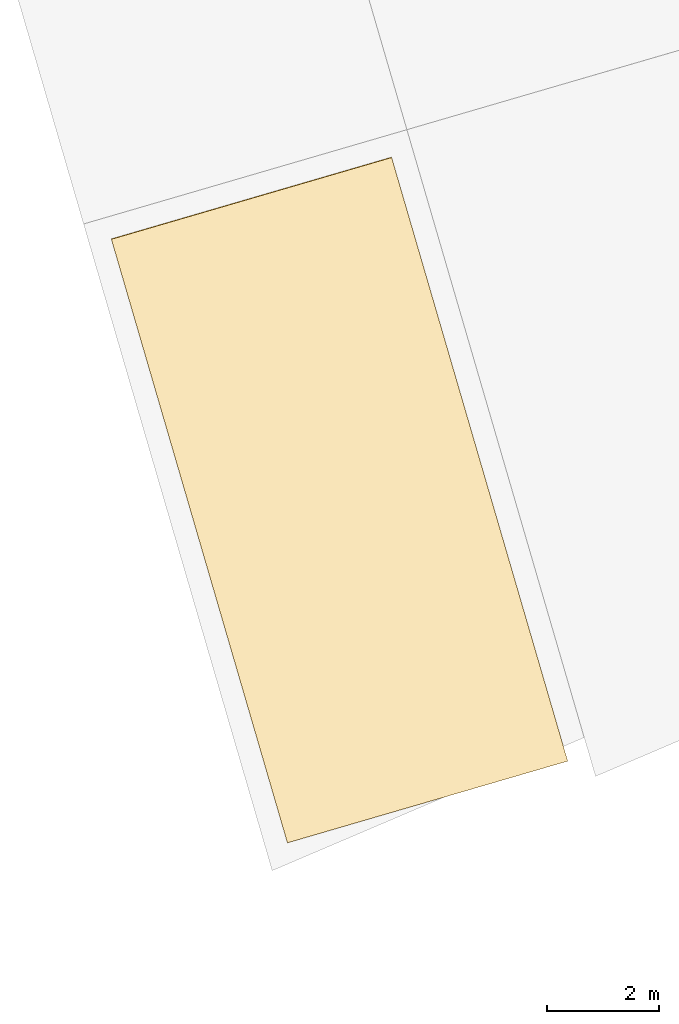
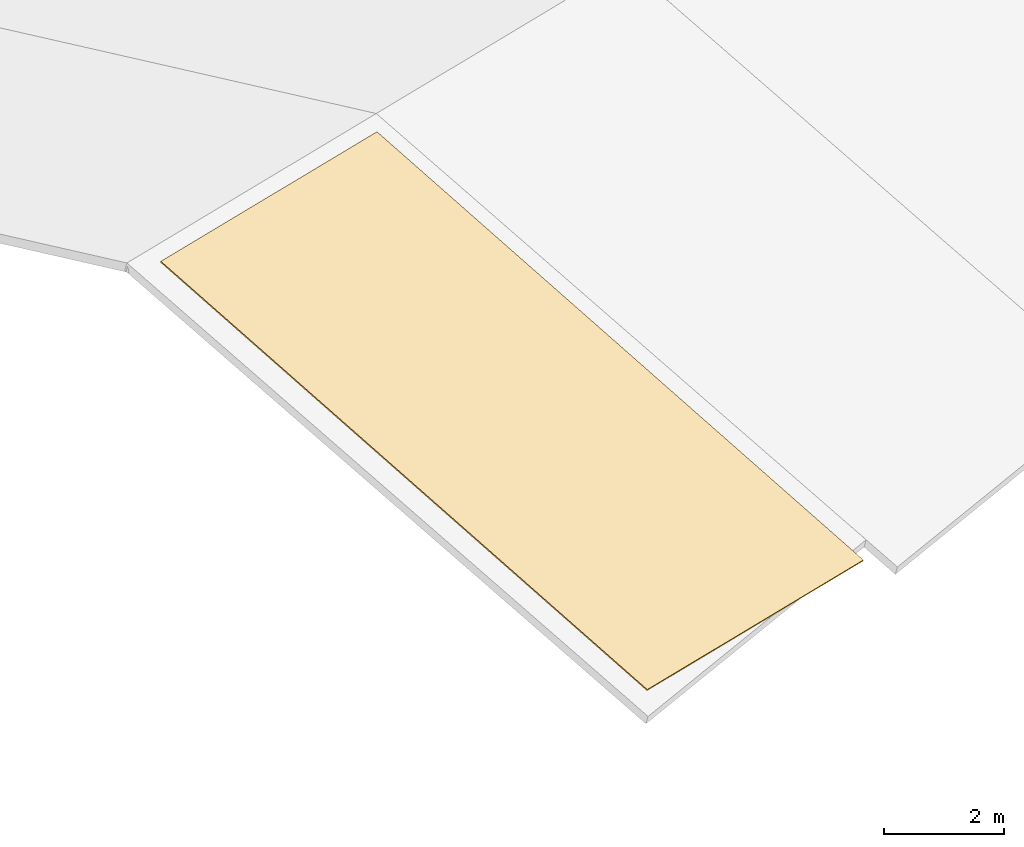
# One storey, part 33 of 35: 1 covering, 1 element without a shape of its own.
"""IFC4 building model written with IfcOpenShell, lengths in metres."""

from ifc_helpers import new_model, si_unit, direction, frame, origin, place, context, subcontext, project, spatial, polyline, outline, extrude, material, layer, layer_set, type_object, element, aggregate, save


model = new_model("IFC4")

# Units and contexts
model_context = context("Model", 3, precision=1e-05, world=origin(), true_north=direction((0.0, 1.0)))
body_context = subcontext(model_context, "Body", "Model", "MODEL_VIEW")
ifc_project = project(units=[si_unit("LENGTHUNIT", "METRE"), si_unit("AREAUNIT", "SQUARE_METRE"), si_unit("VOLUMEUNIT", "CUBIC_METRE"), si_unit("PLANEANGLEUNIT", "RADIAN"), si_unit("MASSUNIT", "GRAM", prefix="KILO")], contexts=[model_context])

# Site, building, storey
site_placement = place(None, origin())
site = spatial("IfcSite", under=ifc_project, at=site_placement, CompositionType="ELEMENT")
building_placement = place(site_placement, origin())
building = spatial("IfcBuilding", under=site, at=building_placement, Name="Canggui Botanical Conservatory", CompositionType="ELEMENT")
storey_placement = place(building_placement, frame((0.0, 0.0, 15.0)))
storey = spatial("IfcBuildingStorey", under=building, at=storey_placement, Name="L04", CompositionType="ELEMENT", Elevation=15.0)

# Roof, covering
ifc_material_1 = material(Name="Concrete C35", Category="concrete")
ifc_layer_1 = layer(ifc_material_1, 0.219970703125, Name="Concrete C35", Category="concrete")
ifc_layer_set_1 = layer_set([ifc_layer_1], Name="Concrete C35")
roof_type = type_object("IfcRoofType", Name="ROOF-GABLE", PredefinedType="GABLE_ROOF", material=ifc_layer_set_1)
roof_placement = place(storey_placement, origin())
roof = element("IfcRoof", 1, at=roof_placement, inside=storey, type_object=roof_type, Name="Auditorium Folded Truss Roof", PredefinedType="GABLE_ROOF")
ifc_material_2 = material(Name="TPO Waterproofing Membrane")
ifc_layer_2 = layer(ifc_material_2, 0.02490234375, Name="TPO Waterproofing Membrane")
ifc_layer_set_2 = layer_set([ifc_layer_2], Name="TPO Waterproofing Membrane")
covering_type = type_object("IfcCoveringType", Name="COV-ROOF-25", PredefinedType="ROOFING", material=ifc_layer_set_2)
covering_placement = place(storey_placement, frame((66.27197265625, 90.49609375, 0.949951171875), z_axis=(0.078584530742, -0.26944208939, 0.95980489267), x_axis=(0.960008441947, 0.279971054493, -6.071054e-06)))
covering = element("IfcCovering", 2, at=covering_placement, type_object=covering_type, Name="Auditorium Folded Roof TPO Waterproofing Membrane", PredefinedType="ROOFING", context=body_context, shape_type="SweptSolid", body=[
    extrude(outline(polyline([(0.0, 0.0), (5.199892580671147, 2.220446049250313e-16), (5.199603354828145, 11.669221940578607), (-0.00035757815122774864, 11.66899698421223), (0.0, 0.0)])), origin(), (0.0, 0.0, -1.0), 0.02490234375),
])
aggregate(roof, [covering])

save(model, "model.ifc")
